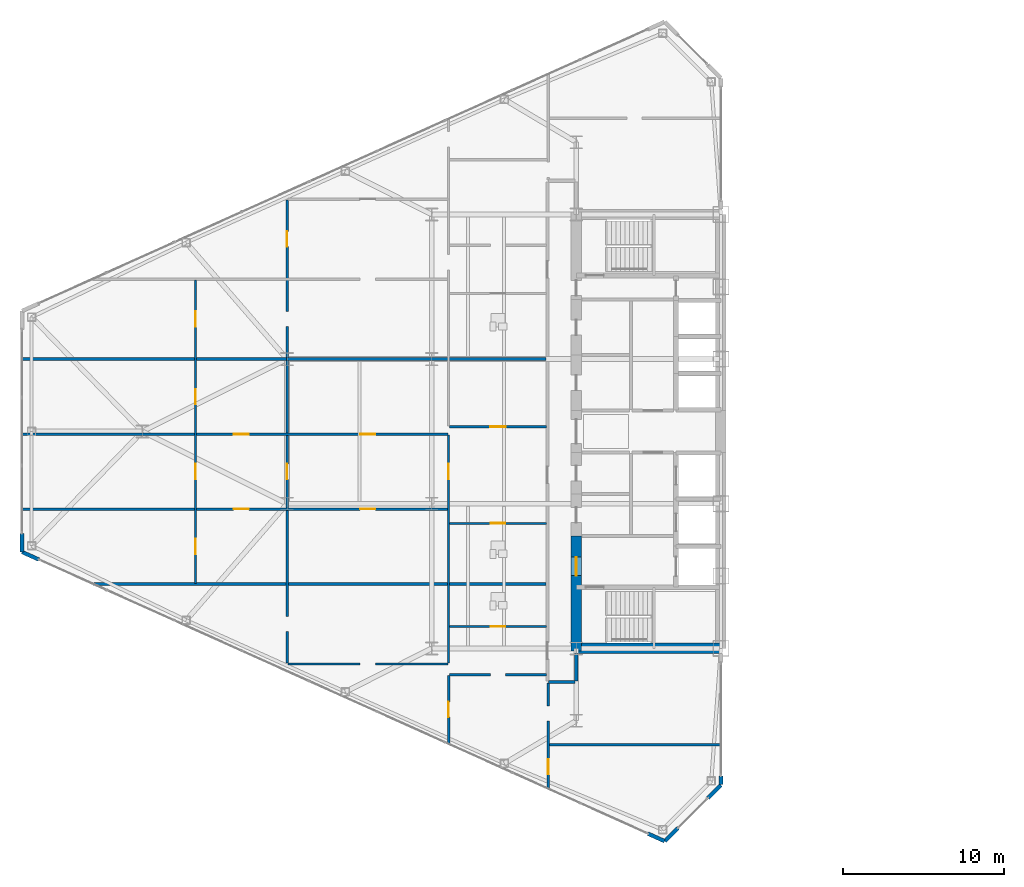
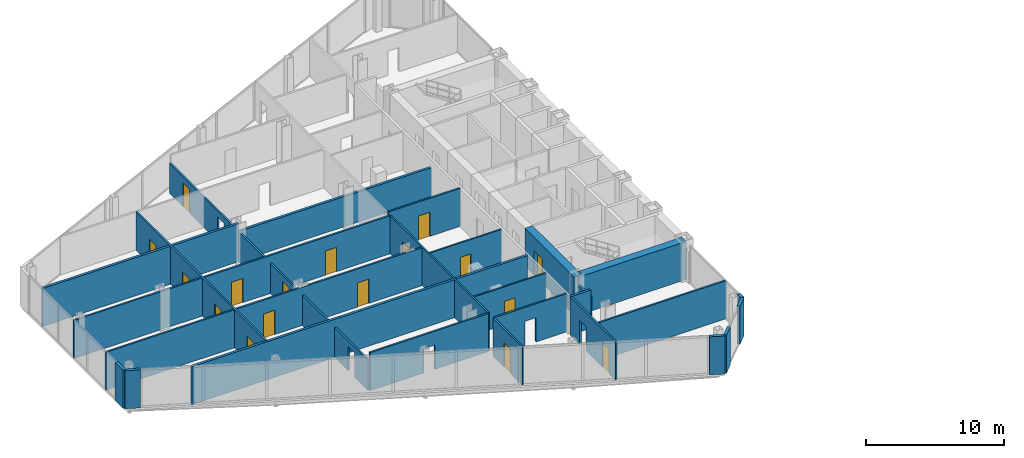
# One storey, part 19 of 27: 26 walls, 17 doors, 22 openings.
"""IFC4 building model written with IfcOpenShell, lengths in metres."""

from ifc_helpers import new_model, si_unit, direction, frame, frame_2d, origin, place, context, subcontext, project, spatial, rectangle, extrude, source, transform, mapped, material, layer, layer_set, type_object, type_shapes, element, fill, save


model = new_model("IFC4")

# Units and contexts
model_context = context("Model", 3, precision=1e-05, world=origin(), true_north=direction((0.0, 1.0)))
body_context = subcontext(model_context, "Body", "Model", "MODEL_VIEW")
ifc_project = project(units=[si_unit("LENGTHUNIT", "METRE"), si_unit("AREAUNIT", "SQUARE_METRE"), si_unit("VOLUMEUNIT", "CUBIC_METRE"), si_unit("PLANEANGLEUNIT", "RADIAN"), si_unit("MASSUNIT", "GRAM", prefix="KILO")], contexts=[model_context])

# Site, building, storey
site_placement = place(None, origin())
site = spatial("IfcSite", under=ifc_project, at=site_placement, CompositionType="ELEMENT")
building_placement = place(site_placement, origin())
building = spatial("IfcBuilding", under=site, at=building_placement, Name="Seokmaru Belvedere", CompositionType="ELEMENT")
storey_placement = place(building_placement, frame((0.0, 0.0, 72.89990234375)))
storey = spatial("IfcBuildingStorey", under=building, at=storey_placement, Name="L19", CompositionType="ELEMENT", Elevation=72.89990234375)

# Wall
ifc_material_1 = material(Name="Fire-Rated Gypsum Shaftwall")
ifc_layer_1 = layer(ifc_material_1, 0.14990234375)
ifc_layer_set_1 = layer_set([ifc_layer_1], Name="Fire-Rated Gypsum Shaftwall")
wall_type_1 = type_object("IfcWallType", Name="Apartment Fire-Acoustic Room Partition 150", PredefinedType="PARTITIONING", material=ifc_layer_set_1)
wall_1_placement = place(storey_placement, frame((-38.199951171875, -19.5, 0.0), z_axis=(0.0, 0.0, 1.0), x_axis=(1.0, 0.0, 0.0)))
element("IfcWall", 1, at=wall_1_placement, inside=storey, type_object=wall_type_1, Name="L19 Interior Partition 001", PredefinedType="PARTITIONING", context=body_context, shape_type="SweptSolid", body=[
    extrude(rectangle(XDim=10.73486328125, YDim=0.14990234375, at=frame_2d((5.367431640625, 0.0))), origin(), (0.0, 0.0, 1.0), 3.380126953125),
])

# Wall, opening
wall_2_placement = place(storey_placement, frame((-44.39990234375, -15.139892578125, 0.0), z_axis=(0.0, 0.0, 1.0), x_axis=(1.0, 0.0, 0.0)))
wall_2 = element("IfcWall", 2, at=wall_2_placement, inside=storey, type_object=wall_type_1, Name="L19 Interior Partition 004", PredefinedType="PARTITIONING", context=body_context, shape_type="SweptSolid", body=[
    extrude(rectangle(XDim=6.0498046875, YDim=0.14990234375, at=frame_2d((3.02490234375, 0.0))), origin(), (0.0, 0.0, 1.0), 3.380126953125),
])
opening_1_placement = place(wall_2_placement, frame((2.550048828125, 0.0, 0.0)))
element("IfcOpeningElement", 3, at=opening_1_placement, cuts=wall_2, Name="L19 Cased Opening 003", PredefinedType="OPENING", context=body_context, shape_type="SweptSolid", body=[
    extrude(rectangle(XDim=0.949951171875, YDim=2.14990234375, at=frame_2d((0.47509765625, 1.074951171875))), frame((0.0, 0.0849609375, 0.0), z_axis=(0.0, -1.0, 0.0), x_axis=(1.0, 0.0, 0.0)), (0.0, 0.0, 1.0), 0.169921875),
])

wall_3_placement = place(storey_placement, frame((-54.449951171875, -14.469970703125, 0.0), z_axis=(0.0, 0.0, 1.0), x_axis=(1.0, 0.0, 0.0)))
wall_3 = element("IfcWall", 4, at=wall_3_placement, inside=storey, type_object=wall_type_1, Name="L19 Interior Partition 005", PredefinedType="PARTITIONING", context=body_context, shape_type="SweptSolid", body=[
    extrude(rectangle(XDim=9.949951171875, YDim=0.14990234375, at=frame_2d((4.97509765625, 0.0))), origin(), (0.0, 0.0, 1.0), 3.380126953125),
])
opening_2_placement = place(wall_3_placement, frame((4.5, 0.0, 0.0)))
element("IfcOpeningElement", 5, at=opening_2_placement, cuts=wall_3, Name="L19 Cased Opening 007", PredefinedType="OPENING", context=body_context, shape_type="SweptSolid", body=[
    extrude(rectangle(XDim=0.949951171875, YDim=2.14990234375, at=frame_2d((0.47509765625, 1.074951171875))), frame((0.0, 0.0849609375, 0.0), z_axis=(0.0, -1.0, 0.0), x_axis=(1.0, 0.0, 0.0)), (0.0, 0.0, 1.0), 0.169921875),
])

# Wall, openings, doors
wall_4_placement = place(storey_placement, frame((-71.034912109375, -4.830078125, 0.0), z_axis=(0.0, 0.0, 1.0), x_axis=(1.0, 0.0, 0.0)))
wall_4 = element("IfcWall", 6, at=wall_4_placement, inside=storey, type_object=wall_type_1, Name="L19 Interior Partition 010", PredefinedType="PARTITIONING", context=body_context, shape_type="SweptSolid", body=[
    extrude(rectangle(XDim=26.534912109375, YDim=0.14990234375, at=frame_2d((13.267578125, 0.0))), origin(), (0.0, 0.0, 1.0), 3.380126953125),
])
opening_3_placement = place(wall_4_placement, frame((21.0849609375, 0.0, 0.0)))
opening_3 = element("IfcOpeningElement", 7, at=opening_3_placement, cuts=wall_4, Name="Opening D05", PredefinedType="OPENING", context=body_context, shape_type="SweptSolid", body=[
    extrude(rectangle(XDim=0.949951171875, YDim=2.14990234375, at=frame_2d((0.47509765625, 1.074951171875))), frame((0.0, 0.0849609375, 0.0), z_axis=(0.0, -1.0, 0.0), x_axis=(1.0, 0.0, 0.0)), (0.0, 0.0, 1.0), 0.169921875),
])
opening_4_placement = place(wall_4_placement, frame((13.2099609375, 0.0, 0.0)))
opening_4 = element("IfcOpeningElement", 8, at=opening_4_placement, cuts=wall_4, Name="Opening D05", PredefinedType="OPENING", context=body_context, shape_type="SweptSolid", body=[
    extrude(rectangle(XDim=0.949951171875, YDim=2.14990234375, at=frame_2d((0.47509765625, 1.074951171875))), frame((0.0, 0.0849609375, 0.0), z_axis=(0.0, -1.0, 0.0), x_axis=(1.0, 0.0, 0.0)), (0.0, 0.0, 1.0), 0.169921875),
])
ifc_material_2 = material(Name="Engineered White Oak Timber", Category="wood")
door_type_1 = type_object("IfcDoorType", Name="Apartment Interior Fire-Rated Oak Door 950x2150", OperationType="NOTDEFINED", PredefinedType="DOOR", material=ifc_material_2)
shared_shape_1 = source(origin(), body_context, "Body", "SweptSolid", [
    extrude(rectangle(XDim=0.949951171875, YDim=2.14990234375, at=frame_2d((0.47509765625, 1.074951171875))), frame((0.0, 0.02490234375, 0.0), z_axis=(0.0, -1.0, 0.0), x_axis=(1.0, 0.0, 0.0)), (0.0, 0.0, 1.0), 0.050048828125),
])
type_shapes(door_type_1, [shared_shape_1])
door_1_placement = place(opening_3_placement, origin())
door_1 = element("IfcDoor", 9, at=door_1_placement, inside=storey, type_object=door_type_1, Name="L19 Interior Door 014", OperationType="SINGLE_SWING_RIGHT", OverallHeight=2.14990234375, OverallWidth=0.949951171875, PredefinedType="DOOR", context=body_context, shape_type="MappedRepresentation", body=[
    mapped(shared_shape_1, transform((0.0, 0.0, 0.0), scale=1.0)),
])
fill(opening_3, door_1)
door_2_placement = place(opening_4_placement, origin())
door_2 = element("IfcDoor", 10, at=door_2_placement, inside=storey, type_object=door_type_1, Name="L19 Interior Door 016", OperationType="SINGLE_SWING_LEFT", OverallHeight=2.14990234375, OverallWidth=0.949951171875, PredefinedType="DOOR", context=body_context, shape_type="MappedRepresentation", body=[
    mapped(shared_shape_1, transform((0.0, 0.0, 0.0), scale=1.0)),
])
fill(opening_4, door_2)

wall_5_placement = place(storey_placement, frame((-71.034912109375, -0.169921875, 0.0), z_axis=(0.0, 0.0, 1.0), x_axis=(1.0, 0.0, 0.0)))
wall_5 = element("IfcWall", 11, at=wall_5_placement, inside=storey, type_object=wall_type_1, Name="L19 Interior Partition 013", PredefinedType="PARTITIONING", context=body_context, shape_type="SweptSolid", body=[
    extrude(rectangle(XDim=26.534912109375, YDim=0.14990234375, at=frame_2d((13.267578125, 0.0))), origin(), (0.0, 0.0, 1.0), 3.380126953125),
])
opening_5_placement = place(wall_5_placement, frame((21.0849609375, 0.0, 0.0)))
opening_5 = element("IfcOpeningElement", 12, at=opening_5_placement, cuts=wall_5, Name="Opening D05", PredefinedType="OPENING", context=body_context, shape_type="SweptSolid", body=[
    extrude(rectangle(XDim=0.949951171875, YDim=2.14990234375, at=frame_2d((0.47509765625, 1.074951171875))), frame((0.0, 0.0849609375, 0.0), z_axis=(0.0, -1.0, 0.0), x_axis=(1.0, 0.0, 0.0)), (0.0, 0.0, 1.0), 0.169921875),
])
opening_6_placement = place(wall_5_placement, frame((13.2099609375, 0.0, 0.0)))
opening_6 = element("IfcOpeningElement", 13, at=opening_6_placement, cuts=wall_5, Name="Opening D05", PredefinedType="OPENING", context=body_context, shape_type="SweptSolid", body=[
    extrude(rectangle(XDim=0.949951171875, YDim=2.14990234375, at=frame_2d((0.47509765625, 1.074951171875))), frame((0.0, 0.0849609375, 0.0), z_axis=(0.0, -1.0, 0.0), x_axis=(1.0, 0.0, 0.0)), (0.0, 0.0, 1.0), 0.169921875),
])
door_3_placement = place(opening_5_placement, origin())
door_3 = element("IfcDoor", 14, at=door_3_placement, inside=storey, type_object=door_type_1, Name="L19 Interior Door 015", OperationType="SINGLE_SWING_LEFT", OverallHeight=2.14990234375, OverallWidth=0.949951171875, PredefinedType="DOOR", context=body_context, shape_type="MappedRepresentation", body=[
    mapped(shared_shape_1, transform((0.0, 0.0, 0.0), scale=1.0)),
])
fill(opening_5, door_3)
door_4_placement = place(opening_6_placement, origin())
door_4 = element("IfcDoor", 15, at=door_4_placement, inside=storey, type_object=door_type_1, Name="L19 Interior Door 019", OperationType="SINGLE_SWING_LEFT", OverallHeight=2.14990234375, OverallWidth=0.949951171875, PredefinedType="DOOR", context=body_context, shape_type="MappedRepresentation", body=[
    mapped(shared_shape_1, transform((0.0, 0.0, 0.0), scale=1.0)),
])
fill(opening_6, door_4)

# Wall, opening, door
wall_6_placement = place(storey_placement, frame((-44.39990234375, 0.300048828125, 0.0), z_axis=(0.0, 0.0, 1.0), x_axis=(1.0, 0.0, 0.0)))
wall_6 = element("IfcWall", 16, at=wall_6_placement, inside=storey, type_object=wall_type_1, Name="L19 Interior Partition 014", PredefinedType="PARTITIONING", context=body_context, shape_type="SweptSolid", body=[
    extrude(rectangle(XDim=6.0498046875, YDim=0.14990234375, at=frame_2d((3.02490234375, 0.0))), origin(), (0.0, 0.0, 1.0), 3.380126953125),
])
opening_7_placement = place(wall_6_placement, frame((2.550048828125, 0.0, 0.0)))
opening_7 = element("IfcOpeningElement", 17, at=opening_7_placement, cuts=wall_6, Name="Opening D05", PredefinedType="OPENING", context=body_context, shape_type="SweptSolid", body=[
    extrude(rectangle(XDim=0.949951171875, YDim=2.14990234375, at=frame_2d((0.47509765625, 1.074951171875))), frame((0.0, 0.0849609375, 0.0), z_axis=(0.0, -1.0, 0.0), x_axis=(1.0, 0.0, 0.0)), (0.0, 0.0, 1.0), 0.169921875),
])
door_5_placement = place(opening_7_placement, origin())
door_5 = element("IfcDoor", 18, at=door_5_placement, inside=storey, type_object=door_type_1, Name="L19 Interior Door 011", OperationType="SINGLE_SWING_LEFT", OverallHeight=2.14990234375, OverallWidth=0.949951171875, PredefinedType="DOOR", context=body_context, shape_type="MappedRepresentation", body=[
    mapped(shared_shape_1, transform((0.0, 0.0, 0.0), scale=1.0)),
])
fill(opening_7, door_5)

# Wall, openings, doors
wall_7_placement = place(storey_placement, frame((-60.199951171875, -9.449951171875, 0.0), z_axis=(0.0, 0.0, 1.0), x_axis=(0.0, 1.0, 0.0)))
wall_7 = element("IfcWall", 19, at=wall_7_placement, inside=storey, type_object=wall_type_1, Name="L19 Interior Partition 033", PredefinedType="PARTITIONING", context=body_context, shape_type="SweptSolid", body=[
    extrude(rectangle(XDim=18.883056640625, YDim=0.14990234375, at=frame_2d((9.44140625, 0.0))), origin(), (0.0, 0.0, 1.0), 3.380126953125),
])
opening_8_placement = place(wall_7_placement, frame((1.808349609375, 0.0, 0.0)))
opening_8 = element("IfcOpeningElement", 20, at=opening_8_placement, cuts=wall_7, Name="Opening D05", PredefinedType="OPENING", context=body_context, shape_type="SweptSolid", body=[
    extrude(rectangle(XDim=0.949951171875, YDim=2.14990234375, at=frame_2d((0.47509765625, 1.074951171875))), frame((0.0, 0.0849609375, 0.0), z_axis=(0.0, -1.0, 0.0), x_axis=(1.0, 0.0, 0.0)), (0.0, 0.0, 1.0), 0.169921875),
])
opening_9_placement = place(wall_7_placement, frame((6.47509765625, 0.0, 0.0)))
opening_9 = element("IfcOpeningElement", 21, at=opening_9_placement, cuts=wall_7, Name="Opening D05", PredefinedType="OPENING", context=body_context, shape_type="SweptSolid", body=[
    extrude(rectangle(XDim=0.949951171875, YDim=2.14990234375, at=frame_2d((0.47509765625, 1.074951171875))), frame((0.0, 0.0849609375, 0.0), z_axis=(0.0, -1.0, 0.0), x_axis=(1.0, 0.0, 0.0)), (0.0, 0.0, 1.0), 0.169921875),
])
opening_10_placement = place(wall_7_placement, frame((11.1416015625, 0.0, 0.0)))
opening_10 = element("IfcOpeningElement", 22, at=opening_10_placement, cuts=wall_7, Name="Opening D05", PredefinedType="OPENING", context=body_context, shape_type="SweptSolid", body=[
    extrude(rectangle(XDim=0.949951171875, YDim=2.14990234375, at=frame_2d((0.47509765625, 1.074951171875))), frame((0.0, 0.0849609375, 0.0), z_axis=(0.0, -1.0, 0.0), x_axis=(1.0, 0.0, 0.0)), (0.0, 0.0, 1.0), 0.169921875),
])
opening_11_placement = place(wall_7_placement, frame((15.96630859375, 0.0, 0.0)))
opening_11 = element("IfcOpeningElement", 23, at=opening_11_placement, cuts=wall_7, Name="Opening D05", PredefinedType="OPENING", context=body_context, shape_type="SweptSolid", body=[
    extrude(rectangle(XDim=0.949951171875, YDim=2.14990234375, at=frame_2d((0.47509765625, 1.074951171875))), frame((0.0, 0.0849609375, 0.0), z_axis=(0.0, -1.0, 0.0), x_axis=(1.0, 0.0, 0.0)), (0.0, 0.0, 1.0), 0.169921875),
])
door_6_placement = place(opening_8_placement, origin())
door_6 = element("IfcDoor", 24, at=door_6_placement, inside=storey, type_object=door_type_1, Name="L19 Interior Door 017", OperationType="SINGLE_SWING_RIGHT", OverallHeight=2.14990234375, OverallWidth=0.949951171875, PredefinedType="DOOR", context=body_context, shape_type="MappedRepresentation", body=[
    mapped(shared_shape_1, transform((0.0, 0.0, 0.0), scale=1.0)),
])
fill(opening_8, door_6)
door_7_placement = place(opening_9_placement, origin())
door_7 = element("IfcDoor", 25, at=door_7_placement, inside=storey, type_object=door_type_1, Name="L19 Interior Door 018", OperationType="SINGLE_SWING_RIGHT", OverallHeight=2.14990234375, OverallWidth=0.949951171875, PredefinedType="DOOR", context=body_context, shape_type="MappedRepresentation", body=[
    mapped(shared_shape_1, transform((0.0, 0.0, 0.0), scale=1.0)),
])
fill(opening_9, door_7)
door_8_placement = place(opening_10_placement, origin())
door_8 = element("IfcDoor", 26, at=door_8_placement, inside=storey, type_object=door_type_1, Name="L19 Interior Door 020", OperationType="SINGLE_SWING_RIGHT", OverallHeight=2.14990234375, OverallWidth=0.949951171875, PredefinedType="DOOR", context=body_context, shape_type="MappedRepresentation", body=[
    mapped(shared_shape_1, transform((0.0, 0.0, 0.0), scale=1.0)),
])
fill(opening_10, door_8)
door_9_placement = place(opening_11_placement, origin())
door_9 = element("IfcDoor", 27, at=door_9_placement, inside=storey, type_object=door_type_1, Name="L19 Interior Door 029", OperationType="SINGLE_SWING_RIGHT", OverallHeight=2.14990234375, OverallWidth=0.949951171875, PredefinedType="DOOR", context=body_context, shape_type="MappedRepresentation", body=[
    mapped(shared_shape_1, transform((0.0, 0.0, 0.0), scale=1.0)),
])
fill(opening_11, door_9)

wall_8_placement = place(storey_placement, frame((-54.5, -14.424072265625, 0.0), z_axis=(0.0, 0.0, 1.0), x_axis=(0.0, 1.0, 0.0)))
wall_8 = element("IfcWall", 28, at=wall_8_placement, inside=storey, type_object=wall_type_1, Name="L19 Interior Partition 034", PredefinedType="PARTITIONING", context=body_context, shape_type="SweptSolid", body=[
    extrude(rectangle(XDim=28.839111328125, YDim=0.14990234375, at=frame_2d((14.41943359375, 0.0))), origin(), (0.0, 0.0, 1.0), 2.68017578125),
])
opening_12_placement = place(wall_8_placement, frame((1.962158203125, 0.0, 0.0)))
element("IfcOpeningElement", 29, at=opening_12_placement, cuts=wall_8, Name="L19 Cased Opening 008", PredefinedType="OPENING", context=body_context, shape_type="SweptSolid", body=[
    extrude(rectangle(XDim=0.949951171875, YDim=2.14990234375, at=frame_2d((0.47509765625, 1.074951171875))), frame((0.0, 0.0849609375, 0.0), z_axis=(0.0, -1.0, 0.0), x_axis=(1.0, 0.0, 0.0)), (0.0, 0.0, 1.0), 0.169921875),
])
opening_13_placement = place(wall_8_placement, frame((11.448974609375, 0.0, 0.0)))
opening_13 = element("IfcOpeningElement", 30, at=opening_13_placement, cuts=wall_8, Name="Opening D05", PredefinedType="OPENING", context=body_context, shape_type="SweptSolid", body=[
    extrude(rectangle(XDim=0.949951171875, YDim=2.14990234375, at=frame_2d((0.47509765625, 1.074951171875))), frame((0.0, 0.0849609375, 0.0), z_axis=(0.0, -1.0, 0.0), x_axis=(1.0, 0.0, 0.0)), (0.0, 0.0, 1.0), 0.169921875),
])
opening_14_placement = place(wall_8_placement, frame((25.922607421875, 0.0, 0.0)))
opening_14 = element("IfcOpeningElement", 31, at=opening_14_placement, cuts=wall_8, Name="Opening D05", PredefinedType="OPENING", context=body_context, shape_type="SweptSolid", body=[
    extrude(rectangle(XDim=0.949951171875, YDim=2.14990234375, at=frame_2d((0.47509765625, 1.074951171875))), frame((0.0, 0.0849609375, 0.0), z_axis=(0.0, -1.0, 0.0), x_axis=(1.0, 0.0, 0.0)), (0.0, 0.0, 1.0), 0.169921875),
])
opening_15_placement = place(wall_8_placement, frame((20.940185546875, 0.0, 0.0)))
element("IfcOpeningElement", 32, at=opening_15_placement, cuts=wall_8, Name="L19 Cased Opening 028", PredefinedType="OPENING", context=body_context, shape_type="SweptSolid", body=[
    extrude(rectangle(XDim=0.949951171875, YDim=2.14990234375, at=frame_2d((0.47509765625, 1.074951171875))), frame((0.0, 0.0849609375, 0.0), z_axis=(0.0, -1.0, 0.0), x_axis=(1.0, 0.0, 0.0)), (0.0, 0.0, 1.0), 0.169921875),
])
door_10_placement = place(opening_13_placement, origin())
door_10 = element("IfcDoor", 33, at=door_10_placement, inside=storey, type_object=door_type_1, Name="L19 Interior Door 013", OperationType="SINGLE_SWING_LEFT", OverallHeight=2.14990234375, OverallWidth=0.949951171875, PredefinedType="DOOR", context=body_context, shape_type="MappedRepresentation", body=[
    mapped(shared_shape_1, transform((0.0, 0.0, 0.0), scale=1.0)),
])
fill(opening_13, door_10)
door_11_placement = place(opening_14_placement, origin())
door_11 = element("IfcDoor", 34, at=door_11_placement, inside=storey, type_object=door_type_1, Name="L19 Interior Door 025", OperationType="SINGLE_SWING_RIGHT", OverallHeight=2.14990234375, OverallWidth=0.949951171875, PredefinedType="DOOR", context=body_context, shape_type="MappedRepresentation", body=[
    mapped(shared_shape_1, transform((0.0, 0.0, 0.0), scale=1.0)),
])
fill(opening_14, door_11)

# Wall, opening, door
wall_9_placement = place(storey_placement, frame((-44.449951171875, -19.48291015625, 0.0), z_axis=(0.0, 0.0, 1.0), x_axis=(0.0, 1.0, 0.0)))
wall_9 = element("IfcWall", 35, at=wall_9_placement, inside=storey, type_object=wall_type_1, Name="L19 Interior Partition 035", PredefinedType="PARTITIONING", context=body_context, shape_type="SweptSolid", body=[
    extrude(rectangle(XDim=4.287841796875, YDim=0.14990234375, at=frame_2d((2.14404296875, 0.0))), origin(), (0.0, 0.0, 1.0), 3.380126953125),
])
opening_16_placement = place(wall_9_placement, frame((1.711669921875, 0.0, 0.0)))
opening_16 = element("IfcOpeningElement", 36, at=opening_16_placement, cuts=wall_9, Name="Opening D05", PredefinedType="OPENING", context=body_context, shape_type="SweptSolid", body=[
    extrude(rectangle(XDim=0.949951171875, YDim=2.14990234375, at=frame_2d((0.47509765625, 1.074951171875))), frame((0.0, 0.0849609375, 0.0), z_axis=(0.0, -1.0, 0.0), x_axis=(1.0, 0.0, 0.0)), (0.0, 0.0, 1.0), 0.169921875),
])
door_12_placement = place(opening_16_placement, origin())
door_12 = element("IfcDoor", 37, at=door_12_placement, inside=storey, type_object=door_type_1, Name="L19 Interior Door 004", OperationType="SINGLE_SWING_RIGHT", OverallHeight=2.14990234375, OverallWidth=0.949951171875, PredefinedType="DOOR", context=body_context, shape_type="MappedRepresentation", body=[
    mapped(shared_shape_1, transform((0.0, 0.0, 0.0), scale=1.0)),
])
fill(opening_16, door_12)

# Wall, openings, door
wall_10_placement = place(storey_placement, frame((-38.25, -22.27294921875, 0.0), z_axis=(0.0, 0.0, 1.0), x_axis=(0.0, 1.0, 0.0)))
wall_10 = element("IfcWall", 38, at=wall_10_placement, inside=storey, type_object=wall_type_1, Name="L19 Interior Partition 039", PredefinedType="PARTITIONING", context=body_context, shape_type="SweptSolid", body=[
    extrude(rectangle(XDim=6.623046875, YDim=0.14990234375, at=frame_2d((3.3115234375, 0.0))), origin(), (0.0, 0.0, 1.0), 3.380126953125),
])
opening_17_placement = place(wall_10_placement, frame((0.92919921875, 0.0, 0.0)))
opening_17 = element("IfcOpeningElement", 39, at=opening_17_placement, cuts=wall_10, Name="Opening D05", PredefinedType="OPENING", context=body_context, shape_type="SweptSolid", body=[
    extrude(rectangle(XDim=0.949951171875, YDim=2.14990234375, at=frame_2d((0.47509765625, 1.074951171875))), frame((0.0, 0.0849609375, 0.0), z_axis=(0.0, -1.0, 0.0), x_axis=(1.0, 0.0, 0.0)), (0.0, 0.0, 1.0), 0.169921875),
])
opening_18_placement = place(wall_10_placement, frame((4.248046875, 0.0, 0.0)))
element("IfcOpeningElement", 40, at=opening_18_placement, cuts=wall_10, Name="L19 Cased Opening 006", PredefinedType="OPENING", context=body_context, shape_type="SweptSolid", body=[
    extrude(rectangle(XDim=0.949951171875, YDim=2.14990234375, at=frame_2d((0.47509765625, 1.074951171875))), frame((0.0, 0.0849609375, 0.0), z_axis=(0.0, -1.0, 0.0), x_axis=(1.0, 0.0, 0.0)), (0.0, 0.0, 1.0), 0.169921875),
])
door_13_placement = place(opening_17_placement, origin())
door_13 = element("IfcDoor", 41, at=door_13_placement, inside=storey, type_object=door_type_1, Name="L19 Interior Door 005", OperationType="SINGLE_SWING_LEFT", OverallHeight=2.14990234375, OverallWidth=0.949951171875, PredefinedType="DOOR", context=body_context, shape_type="MappedRepresentation", body=[
    mapped(shared_shape_1, transform((0.0, 0.0, 0.0), scale=1.0)),
])
fill(opening_17, door_13)

# Walls
ifc_layer_2 = layer(ifc_material_1, 0.199951171875)
ifc_layer_set_2 = layer_set([ifc_layer_2], Name="Fire-Rated Gypsum Shaftwall")
wall_type_2 = type_object("IfcWallType", Name="Inter-Tenancy Fire Compartment Partition 200", PredefinedType="PARTITIONING", material=ifc_layer_set_2)
wall_11_placement = place(storey_placement, frame((-38.215087890625, -15.60009765625, 0.0), z_axis=(0.0, 0.0, 1.0), x_axis=(1.0, 0.0, 0.0)))
element("IfcWall", 42, at=wall_11_placement, inside=storey, type_object=wall_type_2, Name="L19 Interior Partition 002", PredefinedType="PARTITIONING", context=body_context, shape_type="SweptSolid", body=[
    extrude(rectangle(XDim=1.630126953125, YDim=0.199951171875, at=frame_2d((0.81494140625, 0.0))), origin(), (0.0, 0.0, 1.0), 3.380126953125),
])
wall_12_placement = place(storey_placement, frame((-66.568115234375, -9.5, 0.0), z_axis=(0.0, 0.0, 1.0), x_axis=(1.0, 0.0, 0.0)))
element("IfcWall", 43, at=wall_12_placement, inside=storey, type_object=wall_type_2, Name="L19 Interior Partition 007", PredefinedType="PARTITIONING", context=body_context, shape_type="SweptSolid", body=[
    extrude(rectangle(XDim=28.188232421875, YDim=0.199951171875, at=frame_2d((14.09423828125, 0.0))), origin(), (0.0, 0.0, 1.0), 3.380126953125),
])
wall_13_placement = place(storey_placement, frame((-71.0048828125, 4.5, 0.0), z_axis=(0.0, 0.0, 1.0), x_axis=(1.0, 0.0, 0.0)))
element("IfcWall", 44, at=wall_13_placement, inside=storey, type_object=wall_type_2, Name="L19 Interior Partition 017", PredefinedType="PARTITIONING", context=body_context, shape_type="SweptSolid", body=[
    extrude(rectangle(XDim=16.48486328125, YDim=0.199951171875, at=frame_2d((8.242431640625, 0.0))), origin(), (0.0, 0.0, 1.0), 3.380126953125),
])
wall_14_placement = place(storey_placement, frame((-54.52001953125, 4.5, 0.0), z_axis=(0.0, 0.0, 1.0), x_axis=(1.0, 0.0, 0.0)))
element("IfcWall", 45, at=wall_14_placement, inside=storey, type_object=wall_type_2, Name="L19 Interior Partition 017 Part 2", PredefinedType="PARTITIONING", context=body_context, shape_type="SweptSolid", body=[
    extrude(rectangle(XDim=16.14013671875, YDim=0.199951171875, at=frame_2d((8.070068359375, 0.0))), origin(), (0.0, 0.0, 1.0), 2.68017578125),
])
wall_15_placement = place(storey_placement, frame((-36.5, -15.514892578125, 0.0), z_axis=(0.0, 0.0, 1.0), x_axis=(0.0, 1.0, 0.0)))
element("IfcWall", 46, at=wall_15_placement, inside=storey, type_object=wall_type_2, Name="L19 Interior Partition 041", PredefinedType="PARTITIONING", context=body_context, shape_type="SweptSolid", body=[
    extrude(rectangle(XDim=1.684814453125, YDim=0.199951171875, at=frame_2d((0.84228515625, 0.0))), origin(), (0.0, 0.0, 1.0), 2.68017578125),
])
ifc_material_3 = material(Name="Concrete C60 (60 MPa)", Category="concrete")
ifc_layer_3 = layer(ifc_material_3, 0.64990234375)
ifc_layer_set_3 = layer_set([ifc_layer_3], Name="Concrete C60 (60 MPa)")
wall_type_3 = type_object("IfcWallType", Name="Mid-Low Reinforced Concrete Core Wall 650", PredefinedType="SHEAR", material=ifc_layer_set_3)
wall_16_placement = place(storey_placement, frame((-36.5, -13.5, 0.0), z_axis=(0.0, 0.0, 1.0), x_axis=(1.0, 0.0, 0.0)))
element("IfcWall", 47, at=wall_16_placement, inside=storey, type_object=wall_type_3, Name="L19 West South Core Wall", PredefinedType="SHEAR", context=body_context, shape_type="SweptSolid", body=[
    extrude(rectangle(XDim=9.0, YDim=0.64990234375, at=frame_2d((4.5, 0.0))), origin(), (0.0, 0.0, 1.0), 3.380126953125),
])

# Wall, opening, door
wall_17_placement = place(storey_placement, frame((-36.5, -13.64990234375, 0.0), z_axis=(0.0, 0.0, 1.0), x_axis=(0.0, 1.0, 0.0)))
wall_17 = element("IfcWall", 48, at=wall_17_placement, inside=storey, type_object=wall_type_3, Name="L19 West West Core Wall FF", PredefinedType="SHEAR", context=body_context, shape_type="SweptSolid", body=[
    extrude(rectangle(XDim=7.14990234375, YDim=0.64990234375, at=frame_2d((3.574951171875, 0.0))), origin(), (0.0, 0.0, 1.0), 3.380126953125),
])
opening_19_placement = place(wall_17_placement, frame((4.675048828125, 0.0, 0.0)))
opening_19 = element("IfcOpeningElement", 49, at=opening_19_placement, cuts=wall_17, Name="Opening D02", PredefinedType="OPENING", context=body_context, shape_type="SweptSolid", body=[
    extrude(rectangle(XDim=1.14990234375, YDim=2.199951171875, at=frame_2d((0.574951171875, 1.10009765625))), frame((0.0, 0.3349609375, 0.0), z_axis=(0.0, -1.0, 0.0), x_axis=(1.0, 0.0, 0.0)), (0.0, 0.0, 1.0), 0.669921875),
])
ifc_material_4 = material(Name="Fire-Rated Steel Leaf", Category="steel")
door_type_2 = type_object("IfcDoorType", Name="Lobby and Vestibule Fire Door 1150x2200", OperationType="NOTDEFINED", PredefinedType="DOOR", material=ifc_material_4)
shared_shape_2 = source(origin(), body_context, "Body", "SweptSolid", [
    extrude(rectangle(XDim=1.14990234375, YDim=2.199951171875, at=frame_2d((0.574951171875, 1.10009765625))), frame((0.0, 0.02490234375, 0.0), z_axis=(0.0, -1.0, 0.0), x_axis=(1.0, 0.0, 0.0)), (0.0, 0.0, 1.0), 0.050048828125),
])
type_shapes(door_type_2, [shared_shape_2])
door_14_placement = place(opening_19_placement, frame((1.14990234375, 0.0, 0.0), z_axis=(0.0, 0.0, 1.0), x_axis=(-1.0, 0.0, 0.0)))
door_14 = element("IfcDoor", 50, at=door_14_placement, inside=storey, type_object=door_type_2, Name="L19 West Firefighting Lobby Door", OperationType="SINGLE_SWING_LEFT", OverallHeight=2.199951171875, OverallWidth=1.14990234375, PredefinedType="DOOR", context=body_context, shape_type="MappedRepresentation", body=[
    mapped(shared_shape_2, transform((0.0, 0.0, 0.0), scale=1.0)),
])
fill(opening_19, door_14)

ifc_layer_4 = layer(ifc_material_1, 0.1298828125)
ifc_layer_set_4 = layer_set([ifc_layer_4], Name="Fire-Rated Gypsum Shaftwall")
wall_type_4 = type_object("IfcWallType", Name="Moisture-Resistant Fire-Rated Bathroom Partition 130", PredefinedType="PARTITIONING", material=ifc_layer_set_4)
wall_18_placement = place(storey_placement, frame((-44.39990234375, -12.139892578125, 0.0), z_axis=(0.0, 0.0, 1.0), x_axis=(1.0, 0.0, 0.0)))
wall_18 = element("IfcWall", 51, at=wall_18_placement, inside=storey, type_object=wall_type_4, Name="L19 Interior Partition 006", PredefinedType="PARTITIONING", context=body_context, shape_type="SweptSolid", body=[
    extrude(rectangle(XDim=6.0498046875, YDim=0.1298828125, at=frame_2d((3.02490234375, 0.0))), origin(), (0.0, 0.0, 1.0), 3.380126953125),
])
opening_20_placement = place(wall_18_placement, frame((2.5849609375, 0.0, 0.0)))
opening_20 = element("IfcOpeningElement", 52, at=opening_20_placement, cuts=wall_18, Name="Opening D06", PredefinedType="OPENING", context=body_context, shape_type="SweptSolid", body=[
    extrude(rectangle(XDim=0.8798828125, YDim=2.10009765625, at=frame_2d((0.43994140625, 1.050048828125))), frame((0.0, 0.074951171875, 0.0), z_axis=(0.0, -1.0, 0.0), x_axis=(1.0, 0.0, 0.0)), (0.0, 0.0, 1.0), 0.14990234375),
])
door_type_3 = type_object("IfcDoorType", Name="Bathroom and Restroom Fire-Rated Door 880x2100", OperationType="NOTDEFINED", PredefinedType="DOOR", material=ifc_material_2)
shared_shape_3 = source(origin(), body_context, "Body", "SweptSolid", [
    extrude(rectangle(XDim=0.8798828125, YDim=2.10009765625, at=frame_2d((0.43994140625, 1.050048828125))), frame((0.0, 0.02490234375, 0.0), z_axis=(0.0, -1.0, 0.0), x_axis=(1.0, 0.0, 0.0)), (0.0, 0.0, 1.0), 0.050048828125),
])
type_shapes(door_type_3, [shared_shape_3])
door_15_placement = place(opening_20_placement, origin())
door_15 = element("IfcDoor", 53, at=door_15_placement, inside=storey, type_object=door_type_3, Name="L19 Interior Door 002", OperationType="SINGLE_SWING_LEFT", OverallHeight=2.10009765625, OverallWidth=0.8798828125, PredefinedType="DOOR", context=body_context, shape_type="MappedRepresentation", body=[
    mapped(shared_shape_3, transform((0.0, 0.0, 0.0), scale=1.0)),
])
fill(opening_20, door_15)

wall_19_placement = place(storey_placement, frame((-44.39990234375, -5.719970703125, 0.0), z_axis=(0.0, 0.0, 1.0), x_axis=(1.0, 0.0, 0.0)))
wall_19 = element("IfcWall", 54, at=wall_19_placement, inside=storey, type_object=wall_type_4, Name="L19 Interior Partition 009", PredefinedType="PARTITIONING", context=body_context, shape_type="SweptSolid", body=[
    extrude(rectangle(XDim=6.0498046875, YDim=0.1298828125, at=frame_2d((3.02490234375, 0.0))), origin(), (0.0, 0.0, 1.0), 3.380126953125),
])
opening_21_placement = place(wall_19_placement, frame((2.5849609375, 0.0, 0.0)))
opening_21 = element("IfcOpeningElement", 55, at=opening_21_placement, cuts=wall_19, Name="Opening D06", PredefinedType="OPENING", context=body_context, shape_type="SweptSolid", body=[
    extrude(rectangle(XDim=0.8798828125, YDim=2.10009765625, at=frame_2d((0.43994140625, 1.050048828125))), frame((0.0, 0.074951171875, 0.0), z_axis=(0.0, -1.0, 0.0), x_axis=(1.0, 0.0, 0.0)), (0.0, 0.0, 1.0), 0.14990234375),
])
door_16_placement = place(opening_21_placement, origin())
door_16 = element("IfcDoor", 56, at=door_16_placement, inside=storey, type_object=door_type_3, Name="L19 Interior Door 010", OperationType="SINGLE_SWING_LEFT", OverallHeight=2.10009765625, OverallWidth=0.8798828125, PredefinedType="DOOR", context=body_context, shape_type="MappedRepresentation", body=[
    mapped(shared_shape_3, transform((0.0, 0.0, 0.0), scale=1.0)),
])
fill(opening_21, door_16)

wall_20_placement = place(storey_placement, frame((-44.449951171875, -14.424072265625, 0.0), z_axis=(0.0, 0.0, 1.0), x_axis=(0.0, 1.0, 0.0)))
wall_20 = element("IfcWall", 57, at=wall_20_placement, inside=storey, type_object=wall_type_4, Name="L19 Interior Partition 036", PredefinedType="PARTITIONING", context=body_context, shape_type="SweptSolid", body=[
    extrude(rectangle(XDim=14.20703125, YDim=0.1298828125, at=frame_2d((7.103515625, 0.0))), origin(), (0.0, 0.0, 1.0), 3.380126953125),
])
opening_22_placement = place(wall_20_placement, frame((11.448974609375, 0.0, 0.0)))
opening_22 = element("IfcOpeningElement", 58, at=opening_22_placement, cuts=wall_20, Name="Opening D05", PredefinedType="OPENING", context=body_context, shape_type="SweptSolid", body=[
    extrude(rectangle(XDim=0.949951171875, YDim=2.14990234375, at=frame_2d((0.47509765625, 1.074951171875))), frame((0.0, 0.074951171875, 0.0), z_axis=(0.0, -1.0, 0.0), x_axis=(1.0, 0.0, 0.0)), (0.0, 0.0, 1.0), 0.14990234375),
])
door_17_placement = place(opening_22_placement, origin())
door_17 = element("IfcDoor", 59, at=door_17_placement, inside=storey, type_object=door_type_1, Name="L19 Interior Door 012", OperationType="SINGLE_SWING_RIGHT", OverallHeight=2.14990234375, OverallWidth=0.949951171875, PredefinedType="DOOR", context=body_context, shape_type="MappedRepresentation", body=[
    mapped(shared_shape_1, transform((0.0, 0.0, 0.0), scale=1.0)),
])
fill(opening_22, door_17)

# Walls
ifc_material_5 = material(Name="Anodised Bronze Aluminium", Category="aluminium")
ifc_layer_5 = layer(ifc_material_5, 0.239990234375)
ifc_layer_set_5 = layer_set([ifc_layer_5], Name="Anodised Bronze Aluminium")
wall_type_5 = type_object("IfcWallType", Name="Tower Corner Spandrel Closure Wall 240", PredefinedType="SOLIDWALL", material=ifc_layer_set_5)
wall_21_placement = place(storey_placement, frame((-27.5, -21.97998046875, 0.0), z_axis=(0.0, 0.0, 1.0), x_axis=(0.0, 1.0, 0.0)))
element("IfcWall", 60, at=wall_21_placement, inside=storey, type_object=wall_type_5, Name="L19 W Spine Closure Pier 1A", PredefinedType="SOLIDWALL", context=body_context, shape_type="SweptSolid", body=[
    extrude(rectangle(XDim=0.550048828125, YDim=0.239990234375, at=frame_2d((0.27490234375, 0.0))), origin(), (0.0, 0.0, 1.0), 3.380126953125),
])
for number, where, z_axis, x_axis, name in (
    (61, (-71.0, -6.35009765625, 0.0), (0.0, 0.0, 1.0), (0.0, -1.0, 0.0), "L19 W Corner Closure Pier 4B"),
    (62, (-70.990966796875, -7.504150390625, 0.0), (0.0, 0.0, 1.0), (0.911929519623, -0.410346866979, 0.0), "L19 W Corner Closure Pier 5A"),
    (63, (-32.048583984375, -25.028076171875, 0.0), (0.0, 0.0, 1.0), (0.911929519623, -0.410346866979, 0.0), "L19 W Corner Closure Pier 5B"),
):
    element("IfcWall", number, at=place(storey_placement, frame(where, z_axis=z_axis, x_axis=x_axis)), inside=storey, type_object=wall_type_5, Name=name, PredefinedType="SOLIDWALL", context=body_context, shape_type="SweptSolid", body=[
        extrude(rectangle(XDim=1.139892578125, YDim=0.239990234375, at=frame_2d((0.56982421875, 0.0))), origin(), (0.0, 0.0, 1.0), 3.380126953125),
    ])
for number, where, z_axis, x_axis, name in (
    (64, (-30.992919921875, -25.492919921875, 0.0), (0.0, 0.0, 1.0), (0.707106781187, 0.707106781187, 0.0), "L19 W Corner Closure Pier 6A"),
    (65, (-28.313232421875, -22.813232421875, 0.0), (0.0, 0.0, 1.0), (0.707106781187, 0.707106781187, 0.0), "L19 W Corner Closure Pier 6B"),
):
    element("IfcWall", number, at=place(storey_placement, frame(where, z_axis=z_axis, x_axis=x_axis)), inside=storey, type_object=wall_type_5, Name=name, PredefinedType="SOLIDWALL", context=body_context, shape_type="SweptSolid", body=[
        extrude(rectangle(XDim=1.14013671875, YDim=0.239990234375, at=frame_2d((0.570068359375, 0.0))), origin(), (0.0, 0.0, 1.0), 3.380126953125),
    ])

save(model, "model.ifc")
